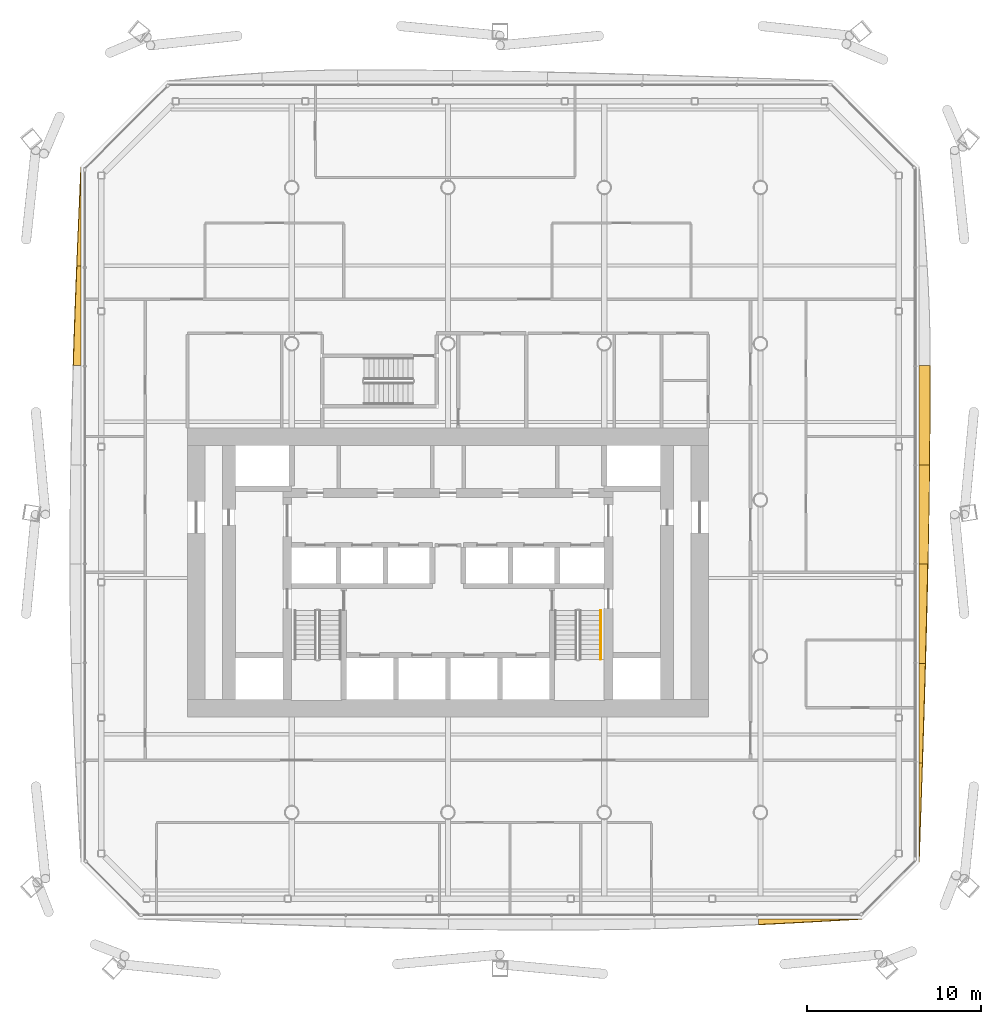
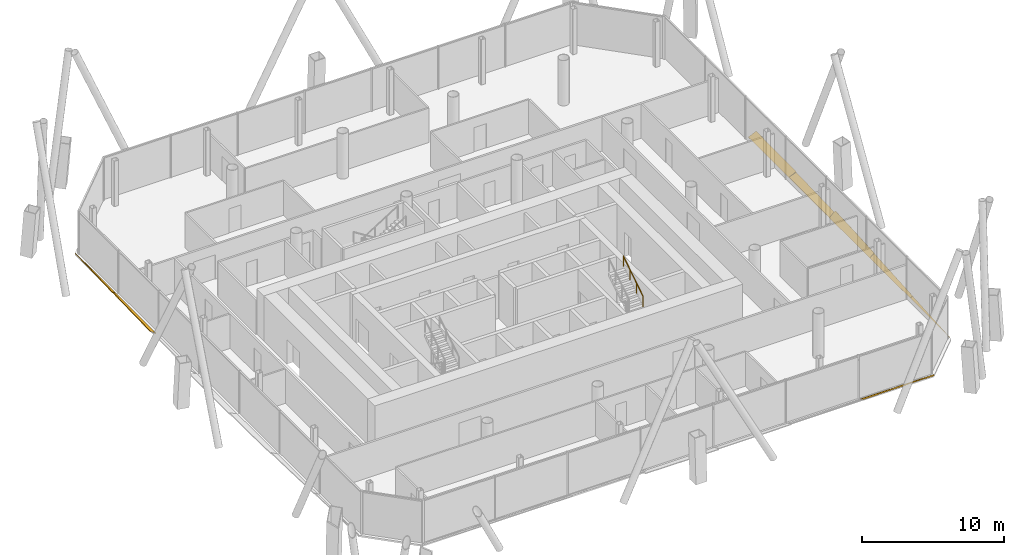
# One storey, part 20 of 22: 8 shading devices, 1 railing.
"""IFC4 building model written with IfcOpenShell, lengths in metres."""

from ifc_helpers import new_model, si_unit, direction, frame, origin, origin_2d, place, context, subcontext, project, spatial, polyline, circle, outline, extrude, material, layer, layer_set, type_object, element, save


model = new_model("IFC4")

# Units and contexts
model_context = context("Model", 3, precision=1e-05, world=origin(), true_north=direction((0.0, 1.0)))
body_context = subcontext(model_context, "Body", "Model", "MODEL_VIEW")
ifc_project = project(units=[si_unit("LENGTHUNIT", "METRE"), si_unit("AREAUNIT", "SQUARE_METRE"), si_unit("VOLUMEUNIT", "CUBIC_METRE"), si_unit("PLANEANGLEUNIT", "RADIAN"), si_unit("MASSUNIT", "GRAM", prefix="KILO")], contexts=[model_context])

# Site, building, storey
site_placement = place(None, origin())
site = spatial("IfcSite", under=ifc_project, at=site_placement, CompositionType="ELEMENT")
building_placement = place(site_placement, origin())
building = spatial("IfcBuilding", under=site, at=building_placement, Name="Tskaro Facet Tower", CompositionType="ELEMENT")
storey_placement = place(building_placement, frame((0.0, 0.0, 97.199951171875)))
storey = spatial("IfcBuildingStorey", under=building, at=storey_placement, Name="L23", CompositionType="ELEMENT", Elevation=97.199951171875)

# Shading devices
ifc_material_1 = material(Name="Bronze anodised aluminium 6063-T6", Category="aluminium")
ifc_layer = layer(ifc_material_1, 0.06005859375, Name="Bronze anodised aluminium 6063-T6")
ifc_layer_set = layer_set([ifc_layer], Name="Bronze anodised aluminium 6063-T6")
shading_device_type = type_object("IfcShadingDeviceType", Name="Bronze sun blade (FN1)", PredefinedType="USERDEFINED", material=ifc_layer_set)
shading_device_1_placement = place(storey_placement, frame((17.900634765625, -24.130615234375, 0.04931640625), z_axis=(3.6504524e-05, 0.573177098235, 0.819431518021), x_axis=(0.999999999334, -2.0923557e-05, -2.9912957e-05)))
element("IfcShadingDevice", 1, at=shading_device_1_placement, inside=storey, type_object=shading_device_type, Name="Fin blade south 7", ObjectType="FIN", PredefinedType="USERDEFINED", context=body_context, shape_type="SweptSolid", body=[
    extrude(outline(polyline([(0.0, 0.0), (5.9604492147786114, 0.0), (5.215332035153123, -0.05140207630520725), (4.470214843116376, -0.10274403190241882), (3.725341796093823, -0.15340600282327105), (2.9802246055328196, -0.20352792488285593), (2.2351074142528815, -0.2527698057429938), (1.4902343774847824, -0.30085177377350064), (0.7451171840480404, -0.34745353103529747), (-7.912958538611475e-09, -0.39283525475946757), (0.0, 0.0)])), origin(), (0.0, 0.0, -1.0), 0.06005859375),
])
shading_device_2_placement = place(storey_placement, frame((27.135009765625, -20.861083984375, 0.052001953125), z_axis=(-0.499844249794, 1.2597153e-05, 0.866115307444), x_axis=(6.296615e-06, 0.999999999921, -1.0910587e-05)))
element("IfcShadingDevice", 2, at=shading_device_2_placement, inside=storey, type_object=shading_device_type, Name="Fin blade east 1", ObjectType="FIN", PredefinedType="USERDEFINED", context=body_context, shape_type="SweptSolid", body=[
    extrude(outline(polyline([(0.0, 0.0), (5.721191405796057, 0.0), (5.721191406702241, -0.22236184357959493), (5.006103515061541, -0.19535049024412304), (4.291015624547301, -0.16800565068859577), (3.5756835945345364, -0.14032732491301317), (2.8605957036094942, -0.11243754520493231), (2.1455078126844516, -0.08454776549685147), (1.4304199202221493, -0.056446531856272394), (0.715332030423565, -0.028223265928136197), (0.0, 0.0)])), origin(), (0.0, 0.0, -1.0), 0.06005859375),
])
shading_device_3_placement = place(storey_placement, frame((27.130615234375, -15.139892578125, 0.04931640625), z_axis=(-0.573444490211, -2.330896e-06, 0.819244418133), x_axis=(-1.336639e-06, 0.999999999997, 1.909573e-06)))
element("IfcShadingDevice", 3, at=shading_device_3_placement, inside=storey, type_object=shading_device_type, Name="Fin blade east 2", ObjectType="FIN", PredefinedType="USERDEFINED", context=body_context, shape_type="SweptSolid", body=[
    extrude(outline(polyline([(0.0, 0.0), (5.721191406234459, 1.2115094046604782e-21), (5.7211914062105915, -0.4478974521875151), (5.006103515632898, -0.42317648853089684), (4.2907714846166565, -0.39791550208949295), (3.5756835939456617, -0.37197449176706016), (2.86059570313479, -0.34569346950411295), (2.1455078123704934, -0.3185324125158656), (1.430419921932525, -0.29117134468334704), (0.7150878902634764, -0.26333026381407076), (-1.2791698717872985e-10, -0.23508916125625212), (0.0, 0.0)])), origin(), (0.0, 0.0, -1.0), 0.06005859375),
])
shading_device_4_placement = place(storey_placement, frame((27.12646484375, -9.418701171875, 0.0458984375), z_axis=(-0.642887660778, 1.488694e-05, 0.765960479005), x_axis=(9.57063e-06, 0.999999999889, -1.1402808e-05)))
element("IfcShadingDevice", 4, at=shading_device_4_placement, inside=storey, type_object=shading_device_type, Name="Fin blade east 3", ObjectType="FIN", PredefinedType="USERDEFINED", context=body_context, shape_type="SweptSolid", body=[
    extrude(outline(polyline([(0.0, 0.0), (5.7211914056160325, -4.846037618641913e-21), (5.721191406821341, -0.6616318993628492), (5.0061035133859635, -0.6420330662556979), (4.2907714834514294, -0.6212454069569775), (3.5756835950364856, -0.5997698335274275), (2.8605957028430007, -0.577232341826867), (2.145507811544133, -0.5540069359954768), (1.4301757809622202, -0.5297496589678421), (0.7150878918998983, -0.5048044678093777), (-1.3882738987771543e-09, -0.47914131544531763), (0.0, 0.0)])), origin(), (0.0, 0.0, -1.0), 0.06005859375),
])
shading_device_5_placement = place(storey_placement, frame((27.14453125, -3.697509765625, 0.056396484375), z_axis=(-0.342017843592, 3.259173e-06, 0.939693457812), x_axis=(1.114695e-06, 0.999999999995, -3.062624e-06)))
element("IfcShadingDevice", 5, at=shading_device_5_placement, inside=storey, type_object=shading_device_type, Name="Fin blade east 4", ObjectType="FIN", PredefinedType="USERDEFINED", context=body_context, shape_type="SweptSolid", body=[
    extrude(outline(polyline([(0.0, 0.0), (5.7211914062196145, 1.2115094046604782e-21), (5.721191406079184, -0.6373266568245975), (5.00585937502824, -0.6282115437898557), (4.290771484261435, -0.6180952609126185), (3.575683593425914, -0.6072072255409859), (2.860595703269387, -0.5954639372248617), (2.1452636721470033, -0.5827194790662423), (1.4301757813087588, -0.5689738510651277), (0.7150878906739404, -0.5546858879177173), (-3.0173675788989646e-10, -0.5393967549278117), (0.0, 0.0)])), origin(), (0.0, 0.0, -1.0), 0.06005859375),
])
shading_device_6_placement = place(storey_placement, frame((27.1396484375, 2.023681640625, 0.054443359375), z_axis=(-0.422624778313, 1.390118e-06, 0.90630474828), x_axis=(5.87498e-07, 0.999999999999, -1.25987e-06)))
element("IfcShadingDevice", 6, at=shading_device_6_placement, inside=storey, type_object=shading_device_type, Name="Fin blade east 5", ObjectType="FIN", PredefinedType="USERDEFINED", context=body_context, shape_type="SweptSolid", body=[
    extrude(outline(polyline([(0.0, 0.0), (5.720947265619472, 0.0), (5.720947265606047, -0.7001238457266917), (5.005859374879749, -0.6988111569332276), (4.290771484502477, -0.6963038652764673), (3.5756835936949103, -0.6931327761966501), (2.8603515624679385, -0.6885458184458509), (2.1452636717432556, -0.6831918833944768), (1.4301757813676004, -0.6766433454798065), (0.7150878907258023, -0.6691065644568757), (-3.87070498425028e-11, -0.66080280613337), (0.0, 0.0)])), origin(), (0.0, 0.0, -1.0), 0.06005859375),
])
shading_device_7_placement = place(storey_placement, frame((-21.135009765625, 19.18701171875, 0.052001953125), z_axis=(0.500001668673, 3.817603e-06, 0.866024440365), x_axis=(1.908808e-06, -0.999999999993, 3.306138e-06)))
element("IfcShadingDevice", 7, at=shading_device_7_placement, inside=storey, type_object=shading_device_type, Name="Fin blade west 1", ObjectType="FIN", PredefinedType="USERDEFINED", context=body_context, shape_type="SweptSolid", body=[
    extrude(outline(polyline([(0.0, 0.0), (5.721191406208309, 0.0), (5.721191406298129, -0.2802317508665896), (5.006103515440217, -0.24664849316569035), (4.290771484082179, -0.21252030124862425), (3.575683593474013, -0.1778471751153913), (2.860595703331864, -0.1429626172340208), (2.1455078125074247, -0.1074110544165917), (1.4301757810579876, -0.0718594915991626), (0.7150878911655839, -0.035885065285458394), (0.0, 0.0)])), origin(), (0.0, 0.0, -1.0), 0.06005859375),
])
shading_device_8_placement = place(storey_placement, frame((-21.130615234375, 13.4658203125, 0.04931640625), z_axis=(0.57346474368, -3.04825e-07, 0.819230240992), x_axis=(-1.74806e-07, -1.0, -2.49722e-07)))
element("IfcShadingDevice", 8, at=shading_device_8_placement, inside=storey, type_object=shading_device_type, Name="Fin blade west 2", ObjectType="FIN", PredefinedType="USERDEFINED", context=body_context, shape_type="SweptSolid", body=[
    extrude(outline(polyline([(0.0, 0.0), (5.721191406249734, 0.0), (5.7211914062441265, -0.5474613313171466), (5.005859375030716, -0.5199602594151749), (4.290771484350852, -0.49117913851605444), (3.5756835937441487, -0.4610379639209652), (2.860595703131348, -0.4300167550948367), (2.1455078124697717, -0.3979155046546144), (1.430175781238066, -0.36479421394241546), (0.7150878906679394, -0.33099289638223206), (-1.1928987704887537e-11, -0.2962515432488922), (0.0, 0.0)])), origin(), (0.0, 0.0, -1.0), 0.06005859375),
])

# Railing
ifc_material_2 = material(Name="Stainless steel", Category="steel")
railing_type = type_object("IfcRailingType", Name="RL-HANDRAIL-900", PredefinedType="HANDRAIL", material=ifc_material_2)
railing_placement = place(storey_placement, frame((8.800048828125, -9.175048828125, 2.12744140625)))
element("IfcRailing", 9, at=railing_placement, inside=storey, type_object=railing_type, Name="L23 ST-2 stair handrail 2", PredefinedType="HANDRAIL", context=body_context, shape_type="SweptSolid", body=[
    extrude(circle(Radius=0.02392578125, at=origin_2d()), frame((0.0, 0.0, 0.8759765625), z_axis=(0.0, 0.844908973607, 0.534910110503), x_axis=(-1.0, 0.0, 0.0)), (0.0, 0.0, 1.0), 3.31396484375),
    extrude(circle(Radius=0.02099609375, at=origin_2d()), origin(), (0.0, 0.0, 1.0), 0.851806640625),
    extrude(circle(Radius=0.02099609375, at=origin_2d()), frame((0.0, 0.933349609375, 0.5908203125)), (0.0, 0.0, 1.0), 0.851806640625),
    extrude(circle(Radius=0.02099609375, at=origin_2d()), frame((0.0, 1.86669921875, 1.181884765625)), (0.0, 0.0, 1.0), 0.851806640625),
    extrude(circle(Radius=0.02099609375, at=origin_2d()), frame((0.0, 2.800048828125, 1.772705078125)), (0.0, 0.0, 1.0), 0.851806640625),
])

save(model, "model.ifc")
